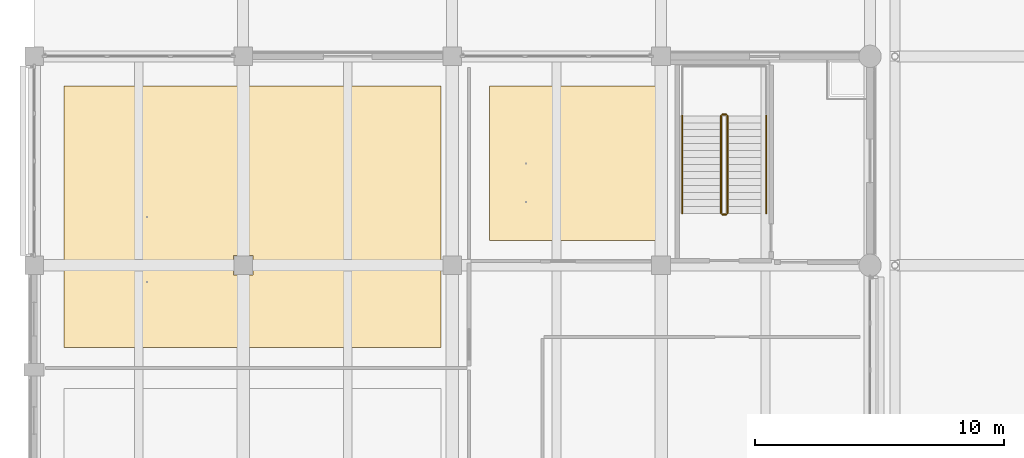
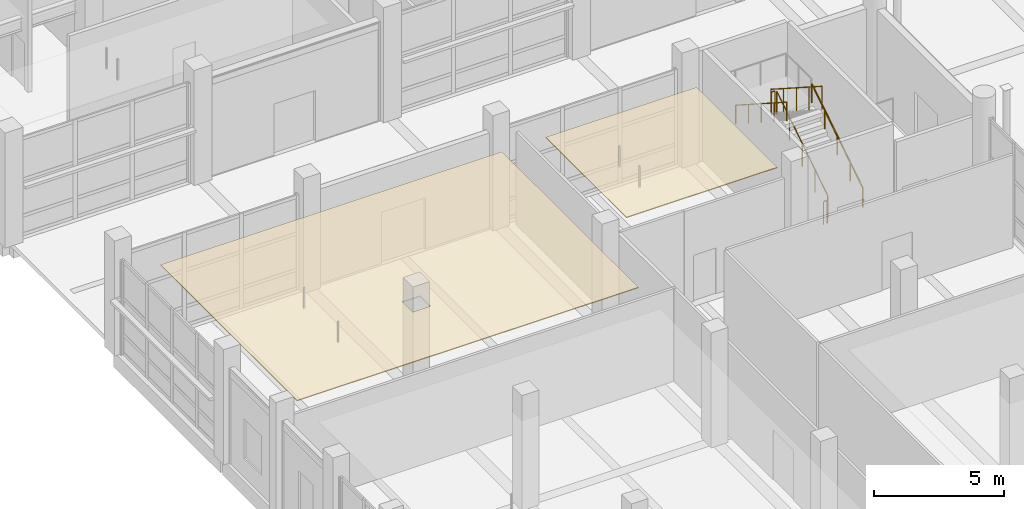
# One storey, part 107 of 140: 6 railings, 2 coverings.
"""IFC4 building model written with IfcOpenShell, lengths in metres."""

from ifc_helpers import new_model, si_unit, direction, frame, origin, origin_2d, place, context, subcontext, project, spatial, polyline, circle, outline, extrude, material, layer, layer_set, type_object, element, save


model = new_model("IFC4")

# Units and contexts
model_context = context("Model", 3, precision=1e-05, world=origin(), true_north=direction((0.0, 1.0)))
body_context = subcontext(model_context, "Body", "Model", "MODEL_VIEW")
ifc_project = project(units=[si_unit("LENGTHUNIT", "METRE"), si_unit("AREAUNIT", "SQUARE_METRE"), si_unit("VOLUMEUNIT", "CUBIC_METRE"), si_unit("PLANEANGLEUNIT", "RADIAN"), si_unit("MASSUNIT", "GRAM", prefix="KILO")], contexts=[model_context])

# Site, building, storey
site_placement = place(None, origin())
site = spatial("IfcSite", under=ifc_project, at=site_placement, CompositionType="ELEMENT")
building_placement = place(site_placement, origin())
building = spatial("IfcBuilding", under=site, at=building_placement, Name="Telukmera Botanical Conservatory", CompositionType="ELEMENT")
storey_placement = place(building_placement, origin())
storey = spatial("IfcBuildingStorey", under=building, at=storey_placement, Name="L00", CompositionType="ELEMENT", Elevation=0.0)

# Coverings
ifc_material_1 = material(Name="Perforated gypsum acoustic ceiling")
ifc_layer = layer(ifc_material_1, 0.0400390625)
ifc_layer_set = layer_set([ifc_layer], Name="Perforated gypsum acoustic ceiling")
covering_type = type_object("IfcCoveringType", Name="COV-CEIL-40", PredefinedType="CEILING", material=ifc_layer_set)
covering_1_placement = place(storey_placement, frame((0.0, 0.0, 4.2099609375)))
element("IfcCovering", 1, at=covering_1_placement, inside=storey, type_object=covering_type, Name="L00 Education Orientation Studio Suspended Acoustic Ceiling", PredefinedType="CEILING", context=body_context, shape_type="SweptSolid", body=[
    extrude(outline(polyline([(9.60009765625, 63.10009765625), (24.7548828125, 63.10009765625), (24.7548828125, 73.60009765625), (9.60009765625, 73.60009765625), (9.60009765625, 63.10009765625)]), holes=[polyline([(16.405029296875, 66.0048828125), (17.195068359375, 66.0048828125), (17.195068359375, 66.794921875), (16.405029296875, 66.794921875), (16.405029296875, 66.0048828125)])]), origin(), (0.0, 0.0, 1.0), 0.0400390625),
])
covering_2_placement = place(storey_placement, frame((0.0, 0.0, 4.2099609375)))
element("IfcCovering", 2, at=covering_2_placement, inside=storey, type_object=covering_type, Name="L00 Visitor Cloakroom Studio Suspended Acoustic Ceiling", PredefinedType="CEILING", context=body_context, shape_type="SweptSolid", body=[
    extrude(outline(polyline([(26.699951171875, 67.39990234375), (33.39990234375, 67.39990234375), (33.39990234375, 73.60009765625), (26.699951171875, 73.60009765625), (26.699951171875, 67.39990234375)])), origin(), (0.0, 0.0, 1.0), 0.0400390625),
])

# Railings
ifc_material_2 = material(Name="Steel S355", Category="steel")
railing_type_1 = type_object("IfcRailingType", Name="RL-GUARD-1100", PredefinedType="GUARDRAIL", material=ifc_material_2)
railing_1_placement = place(storey_placement, frame((36.27001953125, 68.489990234375, 0.179931640625)))
element("IfcRailing", 3, at=railing_1_placement, inside=storey, type_object=railing_type_1, Name="L00 ST4 stair guard 1", PredefinedType="GUARDRAIL", context=body_context, shape_type="SweptSolid", body=[
    extrude(circle(Radius=0.02392578125, at=origin_2d()), frame((0.0, 0.0, 1.076171875), z_axis=(0.0, 0.841171666519, 0.540768182723), x_axis=(-1.0, 0.0, 0.0)), (0.0, 0.0, 1.0), 4.66015625),
    extrude(circle(Radius=0.02099609375, at=origin_2d()), origin(), (0.0, 0.0, 1.0), 1.052001953125),
    extrude(circle(Radius=0.02099609375, at=origin_2d()), frame((0.0, 0.97998046875, 0.6298828125)), (0.0, 0.0, 1.0), 1.052001953125),
    extrude(circle(Radius=0.02099609375, at=origin_2d()), frame((0.0, 1.9599609375, 1.260009765625)), (0.0, 0.0, 1.0), 1.052001953125),
    extrude(circle(Radius=0.02099609375, at=origin_2d()), frame((0.0, 2.93994140625, 1.89013671875)), (0.0, 0.0, 1.0), 1.052001953125),
    extrude(circle(Radius=0.02099609375, at=origin_2d()), frame((0.0, 3.919921875, 2.52001953125)), (0.0, 0.0, 1.0), 1.052001953125),
])
railing_2_placement = place(storey_placement, frame((36.219970703125, 72.4599609375, 2.699951171875)))
element("IfcRailing", 4, at=railing_2_placement, inside=storey, type_object=railing_type_1, Name="L00 ST4 stair guard 2", PredefinedType="GUARDRAIL", context=body_context, shape_type="SweptSolid", body=[
    extrude(circle(Radius=0.02392578125, at=origin_2d()), frame((0.0, 0.0, 1.076171875), z_axis=(-1.0, 0.0, 0.0), x_axis=(0.0, -1.0, 0.0)), (0.0, 0.0, 1.0), 0.159912109375),
    extrude(circle(Radius=0.02099609375, at=origin_2d()), origin(), (0.0, 0.0, 1.0), 1.052001953125),
    extrude(circle(Radius=0.02099609375, at=origin_2d()), frame((-0.159912109375, 0.0, 0.0)), (0.0, 0.0, 1.0), 1.052001953125),
])
railing_3_placement = place(storey_placement, frame((36.010009765625, 72.409912109375, 2.8798828125)))
element("IfcRailing", 5, at=railing_3_placement, inside=storey, type_object=railing_type_1, Name="L00 ST4 stair guard 3", PredefinedType="GUARDRAIL", context=body_context, shape_type="SweptSolid", body=[
    extrude(circle(Radius=0.02392578125, at=origin_2d()), frame((0.0, 0.0, 1.076171875), z_axis=(0.0, -0.841171666519, 0.540768182723), x_axis=(1.0, 0.0, 0.0)), (0.0, 0.0, 1.0), 4.66015625),
    extrude(circle(Radius=0.02099609375, at=origin_2d()), origin(), (0.0, 0.0, 1.0), 1.052001953125),
    extrude(circle(Radius=0.02099609375, at=origin_2d()), frame((0.0, -0.97998046875, 0.6298828125)), (0.0, 0.0, 1.0), 1.052001953125),
    extrude(circle(Radius=0.02099609375, at=origin_2d()), frame((0.0, -1.9599609375, 1.260009765625)), (0.0, 0.0, 1.0), 1.052001953125),
    extrude(circle(Radius=0.02099609375, at=origin_2d()), frame((0.0, -2.93994140625, 1.89013671875)), (0.0, 0.0, 1.0), 1.052001953125),
    extrude(circle(Radius=0.02099609375, at=origin_2d()), frame((0.0, -3.919921875, 2.52001953125)), (0.0, 0.0, 1.0), 1.052001953125),
])
railing_4_placement = place(storey_placement, frame((36.219970703125, 68.43994140625, 0.0)))
element("IfcRailing", 6, at=railing_4_placement, inside=storey, type_object=railing_type_1, Name="L00 ST4 stair guard 4", PredefinedType="GUARDRAIL", context=body_context, shape_type="SweptSolid", body=[
    extrude(circle(Radius=0.02392578125, at=origin_2d()), frame((0.0, 0.0, 1.076171875), z_axis=(-1.0, 0.0, 0.0), x_axis=(0.0, -1.0, 0.0)), (0.0, 0.0, 1.0), 0.159912109375),
    extrude(circle(Radius=0.02099609375, at=origin_2d()), origin(), (0.0, 0.0, 1.0), 1.052001953125),
    extrude(circle(Radius=0.02099609375, at=origin_2d()), frame((-0.159912109375, 0.0, 0.0)), (0.0, 0.0, 1.0), 1.052001953125),
])
ifc_material_3 = material(Name="Stainless steel 316", Category="steel")
railing_type_2 = type_object("IfcRailingType", Name="RL-HAND-900", PredefinedType="HANDRAIL", material=ifc_material_3)
railing_5_placement = place(storey_placement, frame((37.830078125, 68.489990234375, 0.179931640625)))
element("IfcRailing", 7, at=railing_5_placement, inside=storey, type_object=railing_type_2, Name="L00 ST4 stair handrail 1", PredefinedType="HANDRAIL", context=body_context, shape_type="SweptSolid", body=[
    extrude(circle(Radius=0.02392578125, at=origin_2d()), frame((0.0, 0.0, 0.8759765625), z_axis=(0.0, 0.841171666519, 0.540768182723), x_axis=(-1.0, 0.0, 0.0)), (0.0, 0.0, 1.0), 4.66015625),
    extrude(circle(Radius=0.02099609375, at=origin_2d()), origin(), (0.0, 0.0, 1.0), 0.851806640625),
    extrude(circle(Radius=0.02099609375, at=origin_2d()), frame((0.0, 0.97998046875, 0.6298828125)), (0.0, 0.0, 1.0), 0.851806640625),
    extrude(circle(Radius=0.02099609375, at=origin_2d()), frame((0.0, 1.9599609375, 1.260009765625)), (0.0, 0.0, 1.0), 0.851806640625),
    extrude(circle(Radius=0.02099609375, at=origin_2d()), frame((0.0, 2.93994140625, 1.89013671875)), (0.0, 0.0, 1.0), 0.851806640625),
    extrude(circle(Radius=0.02099609375, at=origin_2d()), frame((0.0, 3.919921875, 2.52001953125)), (0.0, 0.0, 1.0), 0.851806640625),
])
railing_6_placement = place(storey_placement, frame((34.449951171875, 72.409912109375, 2.8798828125)))
element("IfcRailing", 8, at=railing_6_placement, inside=storey, type_object=railing_type_2, Name="L00 ST4 stair handrail 2", PredefinedType="HANDRAIL", context=body_context, shape_type="SweptSolid", body=[
    extrude(circle(Radius=0.02392578125, at=origin_2d()), frame((0.0, 0.0, 0.8759765625), z_axis=(0.0, -0.841171666519, 0.540768182723), x_axis=(1.0, 0.0, 0.0)), (0.0, 0.0, 1.0), 4.66015625),
    extrude(circle(Radius=0.02099609375, at=origin_2d()), origin(), (0.0, 0.0, 1.0), 0.851806640625),
    extrude(circle(Radius=0.02099609375, at=origin_2d()), frame((0.0, -0.97998046875, 0.6298828125)), (0.0, 0.0, 1.0), 0.851806640625),
    extrude(circle(Radius=0.02099609375, at=origin_2d()), frame((0.0, -1.9599609375, 1.260009765625)), (0.0, 0.0, 1.0), 0.851806640625),
    extrude(circle(Radius=0.02099609375, at=origin_2d()), frame((0.0, -2.93994140625, 1.89013671875)), (0.0, 0.0, 1.0), 0.851806640625),
    extrude(circle(Radius=0.02099609375, at=origin_2d()), frame((0.0, -3.919921875, 2.52001953125)), (0.0, 0.0, 1.0), 0.851806640625),
])

save(model, "model.ifc")
